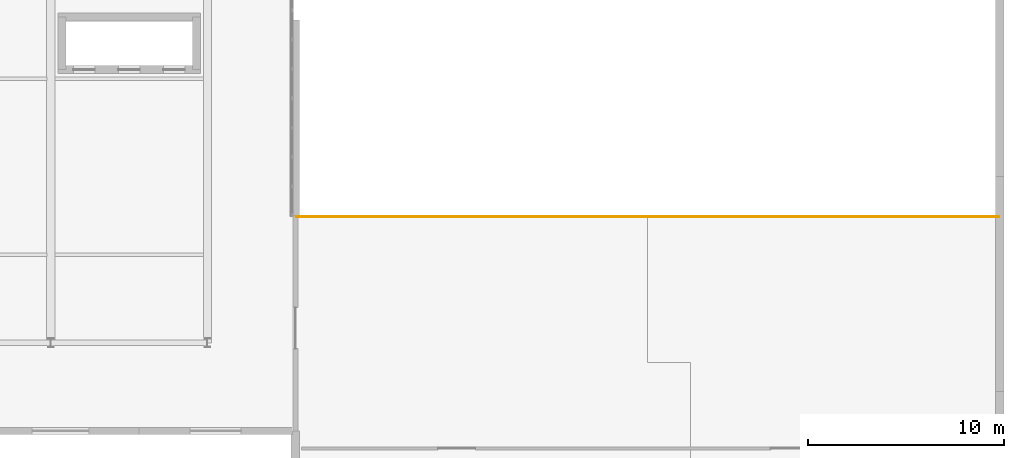
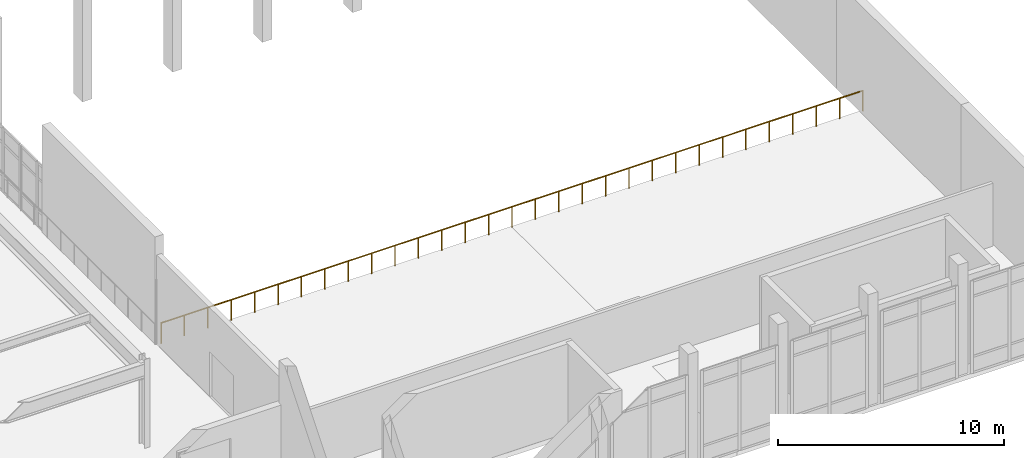
# One storey, part 54 of 54: 1 railing.
"""IFC4 building model written with IfcOpenShell, lengths in metres."""

from ifc_helpers import new_model, si_unit, direction, frame, origin, origin_2d, place, context, subcontext, project, spatial, circle, extrude, material, type_object, element, save


model = new_model("IFC4")

# Units and contexts
model_context = context("Model", 3, precision=1e-05, world=origin(), true_north=direction((0.0, 1.0)))
body_context = subcontext(model_context, "Body", "Model", "MODEL_VIEW")
ifc_project = project(units=[si_unit("LENGTHUNIT", "METRE"), si_unit("AREAUNIT", "SQUARE_METRE"), si_unit("VOLUMEUNIT", "CUBIC_METRE"), si_unit("PLANEANGLEUNIT", "RADIAN"), si_unit("MASSUNIT", "GRAM", prefix="KILO")], contexts=[model_context])

# Site, building, storey
site_placement = place(None, origin())
site = spatial("IfcSite", under=ifc_project, at=site_placement, CompositionType="ELEMENT")
building_placement = place(site_placement, origin())
building = spatial("IfcBuilding", under=site, at=building_placement, Name="Tlacozan Convention Centre", CompositionType="ELEMENT")
storey_placement = place(building_placement, frame((0.0, 0.0, 11.39990234375)))
storey = spatial("IfcBuildingStorey", under=building, at=storey_placement, Name="L02", CompositionType="ELEMENT", Elevation=11.39990234375)

# Railing
ifc_material = material(Name="Architectural Painted Galvanised Steel Railing", Category="steel")
railing_type = type_object("IfcRailingType", Name="Mezzanine Glass Balustrade 1120", PredefinedType="BALUSTRADE", material=ifc_material)
railing_placement = place(storey_placement, frame((144.06005859375, 37.93994140625, 0.0)))
element("IfcRailing", 1, at=railing_placement, inside=storey, type_object=railing_type, Name="L02 Plenary Balcony Front Balustrade", PredefinedType="BALUSTRADE", context=body_context, shape_type="SweptSolid", body=[
    extrude(circle(Radius=0.02392578125, at=origin_2d()), frame((0.0, 0.0, 1.09619140625), z_axis=(1.0, 0.0, 0.0), x_axis=(0.0, 1.0, 0.0)), (0.0, 0.0, 1.0), 35.8798828125),
    extrude(circle(Radius=0.02099609375, at=origin_2d()), origin(), (0.0, 0.0, 1.0), 1.072021484375),
    extrude(circle(Radius=0.02099609375, at=origin_2d()), frame((1.196044921875, 0.0, 0.0)), (0.0, 0.0, 1.0), 1.072021484375),
    extrude(circle(Radius=0.02099609375, at=origin_2d()), frame((2.39208984375, 0.0, 0.0)), (0.0, 0.0, 1.0), 1.072021484375),
    extrude(circle(Radius=0.02099609375, at=origin_2d()), frame((3.587890625, 0.0, 0.0)), (0.0, 0.0, 1.0), 1.072021484375),
    extrude(circle(Radius=0.02099609375, at=origin_2d()), frame((4.783935546875, 0.0, 0.0)), (0.0, 0.0, 1.0), 1.072021484375),
    extrude(circle(Radius=0.02099609375, at=origin_2d()), frame((5.97998046875, 0.0, 0.0)), (0.0, 0.0, 1.0), 1.072021484375),
    extrude(circle(Radius=0.02099609375, at=origin_2d()), frame((7.176025390625, 0.0, 0.0)), (0.0, 0.0, 1.0), 1.072021484375),
    extrude(circle(Radius=0.02099609375, at=origin_2d()), frame((8.3720703125, 0.0, 0.0)), (0.0, 0.0, 1.0), 1.072021484375),
    extrude(circle(Radius=0.02099609375, at=origin_2d()), frame((9.56787109375, 0.0, 0.0)), (0.0, 0.0, 1.0), 1.072021484375),
    extrude(circle(Radius=0.02099609375, at=origin_2d()), frame((10.763916015625, 0.0, 0.0)), (0.0, 0.0, 1.0), 1.072021484375),
    extrude(circle(Radius=0.02099609375, at=origin_2d()), frame((11.9599609375, 0.0, 0.0)), (0.0, 0.0, 1.0), 1.072021484375),
    extrude(circle(Radius=0.02099609375, at=origin_2d()), frame((13.156005859375, 0.0, 0.0)), (0.0, 0.0, 1.0), 1.072021484375),
    extrude(circle(Radius=0.02099609375, at=origin_2d()), frame((14.35205078125, 0.0, 0.0)), (0.0, 0.0, 1.0), 1.072021484375),
    extrude(circle(Radius=0.02099609375, at=origin_2d()), frame((15.5478515625, 0.0, 0.0)), (0.0, 0.0, 1.0), 1.072021484375),
    extrude(circle(Radius=0.02099609375, at=origin_2d()), frame((16.743896484375, 0.0, 0.0)), (0.0, 0.0, 1.0), 1.072021484375),
    extrude(circle(Radius=0.02099609375, at=origin_2d()), frame((17.93994140625, 0.0, 0.0)), (0.0, 0.0, 1.0), 1.072021484375),
    extrude(circle(Radius=0.02099609375, at=origin_2d()), frame((19.135986328125, 0.0, 0.0)), (0.0, 0.0, 1.0), 1.072021484375),
    extrude(circle(Radius=0.02099609375, at=origin_2d()), frame((20.33203125, 0.0, 0.0)), (0.0, 0.0, 1.0), 1.072021484375),
    extrude(circle(Radius=0.02099609375, at=origin_2d()), frame((21.52783203125, 0.0, 0.0)), (0.0, 0.0, 1.0), 1.072021484375),
    extrude(circle(Radius=0.02099609375, at=origin_2d()), frame((22.723876953125, 0.0, 0.0)), (0.0, 0.0, 1.0), 1.072021484375),
    extrude(circle(Radius=0.02099609375, at=origin_2d()), frame((23.919921875, 0.0, 0.0)), (0.0, 0.0, 1.0), 1.072021484375),
    extrude(circle(Radius=0.02099609375, at=origin_2d()), frame((25.115966796875, 0.0, 0.0)), (0.0, 0.0, 1.0), 1.072021484375),
    extrude(circle(Radius=0.02099609375, at=origin_2d()), frame((26.31201171875, 0.0, 0.0)), (0.0, 0.0, 1.0), 1.072021484375),
    extrude(circle(Radius=0.02099609375, at=origin_2d()), frame((27.5078125, 0.0, 0.0)), (0.0, 0.0, 1.0), 1.072021484375),
    extrude(circle(Radius=0.02099609375, at=origin_2d()), frame((28.703857421875, 0.0, 0.0)), (0.0, 0.0, 1.0), 1.072021484375),
    extrude(circle(Radius=0.02099609375, at=origin_2d()), frame((29.89990234375, 0.0, 0.0)), (0.0, 0.0, 1.0), 1.072021484375),
    extrude(circle(Radius=0.02099609375, at=origin_2d()), frame((31.095947265625, 0.0, 0.0)), (0.0, 0.0, 1.0), 1.072021484375),
    extrude(circle(Radius=0.02099609375, at=origin_2d()), frame((32.2919921875, 0.0, 0.0)), (0.0, 0.0, 1.0), 1.072021484375),
    extrude(circle(Radius=0.02099609375, at=origin_2d()), frame((33.48779296875, 0.0, 0.0)), (0.0, 0.0, 1.0), 1.072021484375),
    extrude(circle(Radius=0.02099609375, at=origin_2d()), frame((34.683837890625, 0.0, 0.0)), (0.0, 0.0, 1.0), 1.072021484375),
    extrude(circle(Radius=0.02099609375, at=origin_2d()), frame((35.8798828125, 0.0, 0.0)), (0.0, 0.0, 1.0), 1.072021484375),
])

save(model, "model.ifc")
